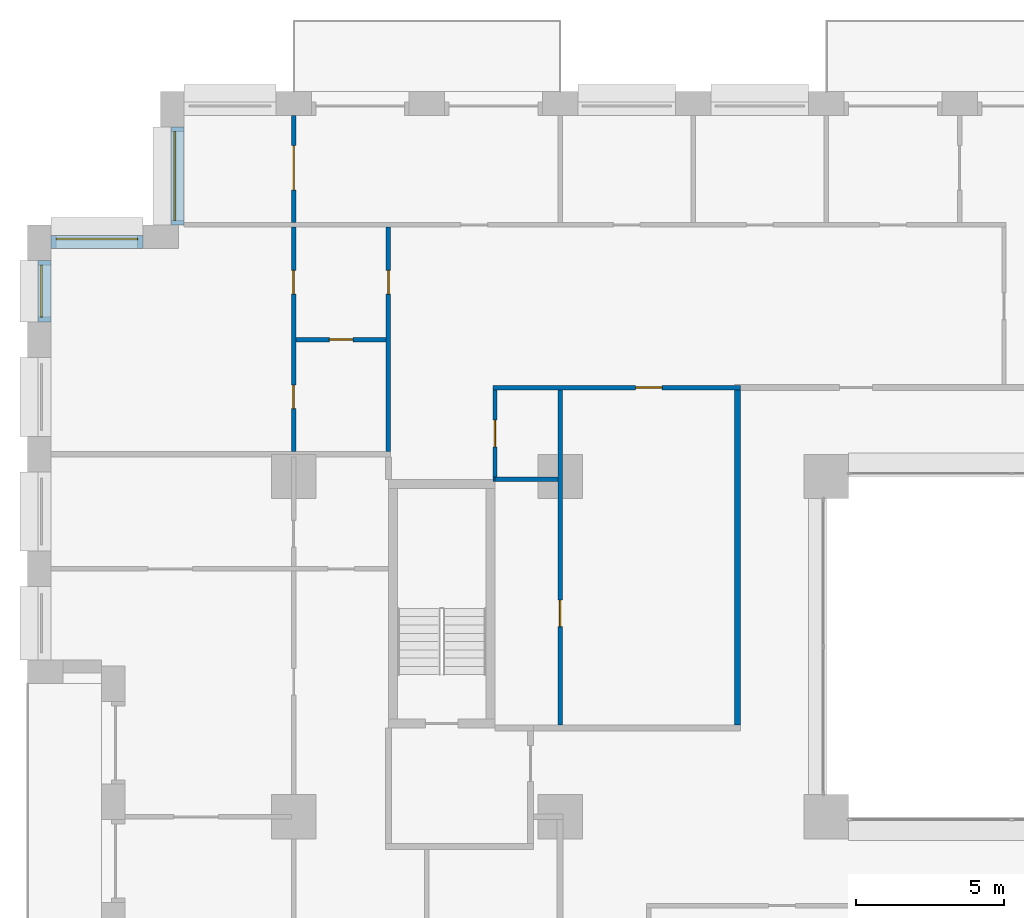
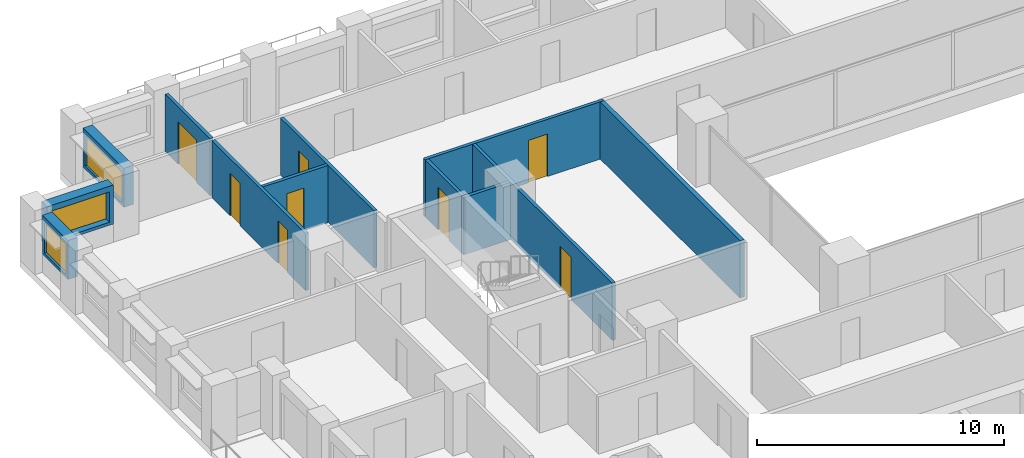
# One storey, part 14 of 21: 13 walls, 8 doors, 3 windows, 11 openings.
"""IFC4 building model written with IfcOpenShell, lengths in metres."""

from ifc_helpers import new_model, si_unit, direction, frame, frame_2d, origin, place, context, subcontext, project, spatial, rectangle, extrude, material, layer, layer_set, type_object, element, fill, save


model = new_model("IFC4")

# Units and contexts
model_context = context("Model", 3, precision=1e-05, world=origin(), true_north=direction((0.0, 1.0)))
body_context = subcontext(model_context, "Body", "Model", "MODEL_VIEW")
ifc_project = project(units=[si_unit("LENGTHUNIT", "METRE"), si_unit("AREAUNIT", "SQUARE_METRE"), si_unit("VOLUMEUNIT", "CUBIC_METRE"), si_unit("PLANEANGLEUNIT", "RADIAN"), si_unit("MASSUNIT", "GRAM", prefix="KILO")], contexts=[model_context])

# Site, building, storey
site_placement = place(None, origin())
site = spatial("IfcSite", under=ifc_project, at=site_placement, CompositionType="ELEMENT")
building_placement = place(site_placement, origin())
building = spatial("IfcBuilding", under=site, at=building_placement, Name="Brigalow Station Residences", CompositionType="ELEMENT")
storey_placement = place(building_placement, frame((0.0, 0.0, 51.0)))
storey = spatial("IfcBuildingStorey", under=building, at=storey_placement, Name="L14", CompositionType="ELEMENT", Elevation=51.0)

# Wall, opening, window
ifc_material_1 = material(Name="Clay brick masonry", Category="masonry")
ifc_layer_1 = layer(ifc_material_1, 0.449951171875)
ifc_layer_set_1 = layer_set([ifc_layer_1], Name="BRICK INFILL WALL 450")
wall_type_1 = type_object("IfcWallType", Name="BRICK INFILL WALL 450", PredefinedType="SOLIDWALL", material=ifc_layer_set_1)
wall_1_placement = place(storey_placement, frame((5.074951171875, 47.300048828125, 0.89990234375), z_axis=(0.0, 0.0, 1.0), x_axis=(0.0, -1.0, 0.0)))
wall_1 = element("IfcWall", 1, at=wall_1_placement, inside=storey, type_object=wall_type_1, Name="L14/ewall/W-L14-40", PredefinedType="SOLIDWALL", context=body_context, shape_type="SweptSolid", body=[
    extrude(rectangle(XDim=3.300048828125, YDim=0.449951171875, at=frame_2d((1.64990234375, 0.0))), origin(), (0.0, 0.0, 1.0), 1.93017578125),
])
opening_1_placement = place(wall_1_placement, frame((0.14990234375, 0.0, 0.14990234375)))
opening_1 = element("IfcOpeningElement", 2, at=opening_1_placement, cuts=wall_1, Name="Opening WT-2", PredefinedType="OPENING", context=body_context, shape_type="SweptSolid", body=[
    extrude(rectangle(XDim=3.0, YDim=1.5, at=frame_2d((1.5, 0.75))), frame((0.0, 0.23486328125, 0.0), z_axis=(0.0, -1.0, 0.0), x_axis=(1.0, 0.0, 0.0)), (0.0, 0.0, 1.0), 0.469970703125),
])
ifc_material_2 = material(Name="Anodised aluminium frame with double glazing", Category="aluminium")
window_type_1 = type_object("IfcWindowType", Name="WINDOW 3000x1500", PartitioningType="SINGLE_PANEL", PredefinedType="WINDOW", material=ifc_material_2)
window_1_placement = place(opening_1_placement, origin())
window_1 = element("IfcWindow", 3, at=window_1_placement, inside=storey, type_object=window_type_1, Name="L14/window/W-L14-40", OverallHeight=1.5, OverallWidth=3.0, PartitioningType="SINGLE_PANEL", PredefinedType="WINDOW", context=body_context, shape_type="SweptSolid", body=[
    extrude(rectangle(XDim=3.0, YDim=1.5, at=frame_2d((1.5, 0.75))), frame((0.0, -0.06494140625, 0.0), z_axis=(0.0, -1.0, 0.0), x_axis=(1.0, 0.0, 0.0)), (0.0, 0.0, 1.0), 0.06005859375),
])
fill(opening_1, window_1)

wall_2_placement = place(storey_placement, frame((3.89990234375, 43.425048828125, 0.89990234375), z_axis=(0.0, 0.0, 1.0), x_axis=(-1.0, 0.0, 0.0)))
wall_2 = element("IfcWall", 4, at=wall_2_placement, inside=storey, type_object=wall_type_1, Name="L14/ewall/W-L14-41", PredefinedType="SOLIDWALL", context=body_context, shape_type="SweptSolid", body=[
    extrude(rectangle(XDim=3.099853515625, YDim=0.449951171875, at=frame_2d((1.5498046875, 0.0))), origin(), (0.0, 0.0, 1.0), 1.93017578125),
])
opening_2_placement = place(wall_2_placement, frame((0.175048828125, 0.0, 0.14990234375)))
opening_2 = element("IfcOpeningElement", 5, at=opening_2_placement, cuts=wall_2, Name="Opening WT-3", PredefinedType="OPENING", context=body_context, shape_type="SweptSolid", body=[
    extrude(rectangle(XDim=2.75, YDim=1.5, at=frame_2d((1.375, 0.75))), frame((0.0, 0.23486328125, 0.0), z_axis=(0.0, -1.0, 0.0), x_axis=(1.0, 0.0, 0.0)), (0.0, 0.0, 1.0), 0.469970703125),
])
ifc_material_3 = material(Name="Anodised aluminium frame with double glazing", Category="aluminium")
window_type_2 = type_object("IfcWindowType", Name="WINDOW 2750x1500", PartitioningType="SINGLE_PANEL", PredefinedType="WINDOW", material=ifc_material_3)
window_2_placement = place(opening_2_placement, origin())
window_2 = element("IfcWindow", 6, at=window_2_placement, inside=storey, type_object=window_type_2, Name="L14/window/W-L14-41", OverallHeight=1.5, OverallWidth=2.75, PartitioningType="SINGLE_PANEL", PredefinedType="WINDOW", context=body_context, shape_type="SweptSolid", body=[
    extrude(rectangle(XDim=2.75, YDim=1.5, at=frame_2d((1.375, 0.75))), frame((0.0, -0.06494140625, 0.0), z_axis=(0.0, -1.0, 0.0), x_axis=(1.0, 0.0, 0.0)), (0.0, 0.0, 1.0), 0.06005859375),
])
fill(opening_2, window_2)

wall_3_placement = place(storey_placement, frame((0.574951171875, 42.800048828125, 0.89990234375), z_axis=(0.0, 0.0, 1.0), x_axis=(0.0, -1.0, 0.0)))
wall_3 = element("IfcWall", 7, at=wall_3_placement, inside=storey, type_object=wall_type_1, Name="L14/ewall/W-L14-42", PredefinedType="SOLIDWALL", context=body_context, shape_type="SweptSolid", body=[
    extrude(rectangle(XDim=2.074951171875, YDim=0.449951171875, at=frame_2d((1.03759765625, 0.0))), origin(), (0.0, 0.0, 1.0), 1.93017578125),
])
opening_3_placement = place(wall_3_placement, frame((0.16259765625, 0.0, 0.14990234375)))
opening_3 = element("IfcOpeningElement", 8, at=opening_3_placement, cuts=wall_3, Name="Opening WT-4", PredefinedType="OPENING", context=body_context, shape_type="SweptSolid", body=[
    extrude(rectangle(XDim=1.75, YDim=1.5, at=frame_2d((0.875, 0.75))), frame((0.0, 0.23486328125, 0.0), z_axis=(0.0, -1.0, 0.0), x_axis=(1.0, 0.0, 0.0)), (0.0, 0.0, 1.0), 0.469970703125),
])
ifc_material_4 = material(Name="Anodised aluminium frame with double glazing", Category="aluminium")
window_type_3 = type_object("IfcWindowType", Name="WINDOW 1750x1500", PartitioningType="SINGLE_PANEL", PredefinedType="WINDOW", material=ifc_material_4)
window_3_placement = place(opening_3_placement, origin())
window_3 = element("IfcWindow", 9, at=window_3_placement, inside=storey, type_object=window_type_3, Name="L14/window/W-L14-42", OverallHeight=1.5, OverallWidth=1.75, PartitioningType="SINGLE_PANEL", PredefinedType="WINDOW", context=body_context, shape_type="SweptSolid", body=[
    extrude(rectangle(XDim=1.75, YDim=1.5, at=frame_2d((0.875, 0.75))), frame((0.0, -0.06494140625, 0.0), z_axis=(0.0, -1.0, 0.0), x_axis=(1.0, 0.0, 0.0)), (0.0, 0.0, 1.0), 0.06005859375),
])
fill(opening_3, window_3)

# Wall, opening, door
ifc_material_5 = material(Name="Plasterboard on steel stud partition", Category="steel")
ifc_layer_2 = layer(ifc_material_5, 0.14990234375)
ifc_layer_set_2 = layer_set([ifc_layer_2], Name="FLAT PARTITION 150")
wall_type_2 = type_object("IfcWallType", Name="FLAT PARTITION 150", PredefinedType="PARTITIONING", material=ifc_layer_set_2)
wall_4_placement = place(storey_placement, frame((15.72509765625, 38.5, 0.0), z_axis=(0.0, 0.0, 1.0), x_axis=(1.0, 0.0, 0.0)))
wall_4 = element("IfcWall", 10, at=wall_4_placement, inside=storey, type_object=wall_type_2, Name="PW-1D08", PredefinedType="PARTITIONING", context=body_context, shape_type="SweptSolid", body=[
    extrude(rectangle(XDim=8.375, YDim=0.14990234375, at=frame_2d((4.1875, 0.0))), origin(), (0.0, 0.0, 1.0), 2.830078125),
])
opening_4_placement = place(wall_4_placement, frame((4.824951171875, 0.0, 0.0)))
opening_4 = element("IfcOpeningElement", 11, at=opening_4_placement, cuts=wall_4, Name="Opening D-1D29", PredefinedType="OPENING", context=body_context, shape_type="SweptSolid", body=[
    extrude(rectangle(XDim=0.89990234375, YDim=2.10009765625, at=frame_2d((0.449951171875, 1.050048828125))), frame((0.0, 0.0849609375, 0.0), z_axis=(0.0, -1.0, 0.0), x_axis=(1.0, 0.0, 0.0)), (0.0, 0.0, 1.0), 0.169921875),
])
ifc_material_6 = material(Name="Solid-core timber door leaf", Category="wood")
door_type_1 = type_object("IfcDoorType", Name="INTERNAL DOOR 900 x 2100", OperationType="SINGLE_SWING_LEFT", PredefinedType="DOOR", material=ifc_material_6)
door_1_placement = place(opening_4_placement, frame((0.89990234375, 0.0, 0.0), z_axis=(0.0, 0.0, 1.0), x_axis=(-1.0, 0.0, 0.0)))
door_1 = element("IfcDoor", 12, at=door_1_placement, inside=storey, type_object=door_type_1, Name="D-1D29", OperationType="SINGLE_SWING_LEFT", OverallHeight=2.10009765625, OverallWidth=0.89990234375, PredefinedType="DOOR", context=body_context, shape_type="SweptSolid", body=[
    extrude(rectangle(XDim=0.89990234375, YDim=2.10009765625, at=frame_2d((0.449951171875, 1.050048828125))), frame((0.0, 0.02490234375, 0.0), z_axis=(0.0, -1.0, 0.0), x_axis=(1.0, 0.0, 0.0)), (0.0, 0.0, 1.0), 0.050048828125),
])
fill(opening_4, door_1)

# Walls
wall_5_placement = place(storey_placement, frame((15.72509765625, 35.39990234375, 0.0), z_axis=(0.0, 0.0, 1.0), x_axis=(1.0, 0.0, 0.0)))
element("IfcWall", 13, at=wall_5_placement, inside=storey, type_object=wall_type_2, Name="PW-1D23", PredefinedType="PARTITIONING", context=body_context, shape_type="SweptSolid", body=[
    extrude(rectangle(XDim=0.074951171875, YDim=0.14990234375, at=frame_2d((0.03759765625, 0.0))), origin(), (0.0, 0.0, 1.0), 2.830078125),
])
wall_6_placement = place(storey_placement, frame((15.800048828125, 35.39990234375, 0.0), z_axis=(0.0, 0.0, 1.0), x_axis=(1.0, 0.0, 0.0)))
element("IfcWall", 14, at=wall_6_placement, inside=storey, type_object=wall_type_2, Name="PW-1D24", PredefinedType="PARTITIONING", context=body_context, shape_type="SweptSolid", body=[
    extrude(rectangle(XDim=2.125, YDim=0.14990234375, at=frame_2d((1.0625, 0.0))), origin(), (0.0, 0.0, 1.0), 2.830078125),
])

# Wall, opening, door
wall_7_placement = place(storey_placement, frame((9.074951171875, 40.125, 0.0), z_axis=(0.0, 0.0, 1.0), x_axis=(1.0, 0.0, 0.0)))
wall_7 = element("IfcWall", 15, at=wall_7_placement, inside=storey, type_object=wall_type_2, Name="PW-1D28", PredefinedType="PARTITIONING", context=body_context, shape_type="SweptSolid", body=[
    extrude(rectangle(XDim=3.050048828125, YDim=0.14990234375, at=frame_2d((1.52490234375, 0.0))), origin(), (0.0, 0.0, 1.0), 2.830078125),
])
opening_5_placement = place(wall_7_placement, frame((1.125, 0.0, 0.0)))
opening_5 = element("IfcOpeningElement", 16, at=opening_5_placement, cuts=wall_7, Name="Opening D-1D22", PredefinedType="OPENING", context=body_context, shape_type="SweptSolid", body=[
    extrude(rectangle(XDim=0.800048828125, YDim=2.10009765625, at=frame_2d((0.39990234375, 1.050048828125))), frame((0.0, 0.0849609375, 0.0), z_axis=(0.0, -1.0, 0.0), x_axis=(1.0, 0.0, 0.0)), (0.0, 0.0, 1.0), 0.169921875),
])
ifc_material_7 = material(Name="Solid-core timber door leaf", Category="wood")
door_type_2 = type_object("IfcDoorType", Name="INTERNAL DOOR 800 x 2100", OperationType="SINGLE_SWING_LEFT", PredefinedType="DOOR", material=ifc_material_7)
door_2_placement = place(opening_5_placement, frame((0.800048828125, 0.0, 0.0), z_axis=(0.0, 0.0, 1.0), x_axis=(-1.0, 0.0, 0.0)))
door_2 = element("IfcDoor", 17, at=door_2_placement, inside=storey, type_object=door_type_2, Name="D-1D22", OperationType="SINGLE_SWING_LEFT", OverallHeight=2.10009765625, OverallWidth=0.800048828125, PredefinedType="DOOR", context=body_context, shape_type="SweptSolid", body=[
    extrude(rectangle(XDim=0.800048828125, YDim=2.10009765625, at=frame_2d((0.39990234375, 1.050048828125))), frame((0.0, 0.02490234375, 0.0), z_axis=(0.0, -1.0, 0.0), x_axis=(1.0, 0.0, 0.0)), (0.0, 0.0, 1.0), 0.050048828125),
])
fill(opening_5, door_2)

wall_8_placement = place(storey_placement, frame((18.0, 27.10009765625, 0.0), z_axis=(0.0, 0.0, 1.0), x_axis=(0.0, 1.0, 0.0)))
wall_8 = element("IfcWall", 18, at=wall_8_placement, inside=storey, type_object=wall_type_2, Name="PW-1D36", PredefinedType="PARTITIONING", context=body_context, shape_type="SweptSolid", body=[
    extrude(rectangle(XDim=11.324951171875, YDim=0.14990234375, at=frame_2d((5.66259765625, 0.0))), origin(), (0.0, 0.0, 1.0), 2.830078125),
])
opening_6_placement = place(wall_8_placement, frame((3.324951171875, 0.0, 0.0)))
opening_6 = element("IfcOpeningElement", 19, at=opening_6_placement, cuts=wall_8, Name="Opening D-1D32", PredefinedType="OPENING", context=body_context, shape_type="SweptSolid", body=[
    extrude(rectangle(XDim=0.89990234375, YDim=2.10009765625, at=frame_2d((0.449951171875, 1.050048828125))), frame((0.0, 0.0849609375, 0.0), z_axis=(0.0, -1.0, 0.0), x_axis=(1.0, 0.0, 0.0)), (0.0, 0.0, 1.0), 0.169921875),
])
door_3_placement = place(opening_6_placement, origin())
door_3 = element("IfcDoor", 20, at=door_3_placement, inside=storey, type_object=door_type_1, Name="D-1D32", OperationType="SINGLE_SWING_LEFT", OverallHeight=2.10009765625, OverallWidth=0.89990234375, PredefinedType="DOOR", context=body_context, shape_type="SweptSolid", body=[
    extrude(rectangle(XDim=0.89990234375, YDim=2.10009765625, at=frame_2d((0.449951171875, 1.050048828125))), frame((0.0, 0.02490234375, 0.0), z_axis=(0.0, -1.0, 0.0), x_axis=(1.0, 0.0, 0.0)), (0.0, 0.0, 1.0), 0.050048828125),
])
fill(opening_6, door_3)

# Wall, openings, doors
wall_9_placement = place(storey_placement, frame((9.0, 36.35009765625, 0.0), z_axis=(0.0, 0.0, 1.0), x_axis=(0.0, 1.0, 0.0)))
wall_9 = element("IfcWall", 21, at=wall_9_placement, inside=storey, type_object=wall_type_2, Name="PW-1D50", PredefinedType="PARTITIONING", context=body_context, shape_type="SweptSolid", body=[
    extrude(rectangle(XDim=7.574951171875, YDim=0.14990234375, at=frame_2d((3.78759765625, 0.0))), origin(), (0.0, 0.0, 1.0), 2.830078125),
])
opening_7_placement = place(wall_9_placement, frame((5.31201171875, 0.0, 0.0)))
opening_7 = element("IfcOpeningElement", 22, at=opening_7_placement, cuts=wall_9, Name="Opening D-1D24", PredefinedType="OPENING", context=body_context, shape_type="SweptSolid", body=[
    extrude(rectangle(XDim=0.800048828125, YDim=2.10009765625, at=frame_2d((0.39990234375, 1.050048828125))), frame((0.0, 0.0849609375, 0.0), z_axis=(0.0, -1.0, 0.0), x_axis=(1.0, 0.0, 0.0)), (0.0, 0.0, 1.0), 0.169921875),
])
opening_8_placement = place(wall_9_placement, frame((1.43798828125, 0.0, 0.0)))
opening_8 = element("IfcOpeningElement", 23, at=opening_8_placement, cuts=wall_9, Name="Opening D-1D25", PredefinedType="OPENING", context=body_context, shape_type="SweptSolid", body=[
    extrude(rectangle(XDim=0.800048828125, YDim=2.10009765625, at=frame_2d((0.39990234375, 1.050048828125))), frame((0.0, 0.0849609375, 0.0), z_axis=(0.0, -1.0, 0.0), x_axis=(1.0, 0.0, 0.0)), (0.0, 0.0, 1.0), 0.169921875),
])
door_4_placement = place(opening_7_placement, frame((0.800048828125, 0.0, 0.0), z_axis=(0.0, 0.0, 1.0), x_axis=(-1.0, 0.0, 0.0)))
door_4 = element("IfcDoor", 24, at=door_4_placement, inside=storey, type_object=door_type_2, Name="D-1D24", OperationType="SINGLE_SWING_RIGHT", OverallHeight=2.10009765625, OverallWidth=0.800048828125, PredefinedType="DOOR", context=body_context, shape_type="SweptSolid", body=[
    extrude(rectangle(XDim=0.800048828125, YDim=2.10009765625, at=frame_2d((0.39990234375, 1.050048828125))), frame((0.0, 0.02490234375, 0.0), z_axis=(0.0, -1.0, 0.0), x_axis=(1.0, 0.0, 0.0)), (0.0, 0.0, 1.0), 0.050048828125),
])
fill(opening_7, door_4)
door_5_placement = place(opening_8_placement, frame((0.800048828125, 0.0, 0.0), z_axis=(0.0, 0.0, 1.0), x_axis=(-1.0, 0.0, 0.0)))
door_5 = element("IfcDoor", 25, at=door_5_placement, inside=storey, type_object=door_type_2, Name="D-1D25", OperationType="SINGLE_SWING_RIGHT", OverallHeight=2.10009765625, OverallWidth=0.800048828125, PredefinedType="DOOR", context=body_context, shape_type="SweptSolid", body=[
    extrude(rectangle(XDim=0.800048828125, YDim=2.10009765625, at=frame_2d((0.39990234375, 1.050048828125))), frame((0.0, 0.02490234375, 0.0), z_axis=(0.0, -1.0, 0.0), x_axis=(1.0, 0.0, 0.0)), (0.0, 0.0, 1.0), 0.050048828125),
])
fill(opening_8, door_5)

# Wall, opening, door
wall_10_placement = place(storey_placement, frame((9.0, 44.074951171875, 0.0), z_axis=(0.0, 0.0, 1.0), x_axis=(0.0, 1.0, 0.0)))
wall_10 = element("IfcWall", 26, at=wall_10_placement, inside=storey, type_object=wall_type_2, Name="PW-1D51", PredefinedType="PARTITIONING", context=body_context, shape_type="SweptSolid", body=[
    extrude(rectangle(XDim=3.625, YDim=0.14990234375, at=frame_2d((1.8125, 0.0))), origin(), (0.0, 0.0, 1.0), 2.830078125),
])
opening_9_placement = place(wall_10_placement, frame((1.10009765625, 0.0, 0.0)))
opening_9 = element("IfcOpeningElement", 27, at=opening_9_placement, cuts=wall_10, Name="Opening D-1D21", PredefinedType="OPENING", context=body_context, shape_type="SweptSolid", body=[
    extrude(rectangle(XDim=1.5, YDim=2.10009765625, at=frame_2d((0.75, 1.050048828125))), frame((0.0, 0.0849609375, 0.0), z_axis=(0.0, -1.0, 0.0), x_axis=(1.0, 0.0, 0.0)), (0.0, 0.0, 1.0), 0.169921875),
])
ifc_material_8 = material(Name="Solid-core timber door leaf", Category="wood")
door_type_3 = type_object("IfcDoorType", Name="INTERNAL DOUBLE DOOR 1500 x 2100", OperationType="DOUBLE_DOOR_SINGLE_SWING", PredefinedType="DOOR", material=ifc_material_8)
door_6_placement = place(opening_9_placement, origin())
door_6 = element("IfcDoor", 28, at=door_6_placement, inside=storey, type_object=door_type_3, Name="D-1D21", OperationType="DOUBLE_DOOR_SINGLE_SWING", OverallHeight=2.10009765625, OverallWidth=1.5, PredefinedType="DOOR", context=body_context, shape_type="SweptSolid", body=[
    extrude(rectangle(XDim=1.5, YDim=2.10009765625, at=frame_2d((0.75, 1.050048828125))), frame((0.0, 0.02490234375, 0.0), z_axis=(0.0, -1.0, 0.0), x_axis=(1.0, 0.0, 0.0)), (0.0, 0.0, 1.0), 0.050048828125),
])
fill(opening_9, door_6)

wall_11_placement = place(storey_placement, frame((12.199951171875, 36.35009765625, 0.0), z_axis=(0.0, 0.0, 1.0), x_axis=(0.0, 1.0, 0.0)))
wall_11 = element("IfcWall", 29, at=wall_11_placement, inside=storey, type_object=wall_type_2, Name="PW-1D56", PredefinedType="PARTITIONING", context=body_context, shape_type="SweptSolid", body=[
    extrude(rectangle(XDim=7.574951171875, YDim=0.14990234375, at=frame_2d((3.78759765625, 0.0))), origin(), (0.0, 0.0, 1.0), 2.830078125),
])
opening_10_placement = place(wall_11_placement, frame((5.31201171875, 0.0, 0.0)))
opening_10 = element("IfcOpeningElement", 30, at=opening_10_placement, cuts=wall_11, Name="Opening D-1D23", PredefinedType="OPENING", context=body_context, shape_type="SweptSolid", body=[
    extrude(rectangle(XDim=0.800048828125, YDim=2.10009765625, at=frame_2d((0.39990234375, 1.050048828125))), frame((0.0, 0.0849609375, 0.0), z_axis=(0.0, -1.0, 0.0), x_axis=(1.0, 0.0, 0.0)), (0.0, 0.0, 1.0), 0.169921875),
])
door_7_placement = place(opening_10_placement, origin())
door_7 = element("IfcDoor", 31, at=door_7_placement, inside=storey, type_object=door_type_2, Name="D-1D23", OperationType="SINGLE_SWING_LEFT", OverallHeight=2.10009765625, OverallWidth=0.800048828125, PredefinedType="DOOR", context=body_context, shape_type="SweptSolid", body=[
    extrude(rectangle(XDim=0.800048828125, YDim=2.10009765625, at=frame_2d((0.39990234375, 1.050048828125))), frame((0.0, 0.02490234375, 0.0), z_axis=(0.0, -1.0, 0.0), x_axis=(1.0, 0.0, 0.0)), (0.0, 0.0, 1.0), 0.050048828125),
])
fill(opening_10, door_7)

wall_12_placement = place(storey_placement, frame((15.800048828125, 35.47509765625, 0.0), z_axis=(0.0, 0.0, 1.0), x_axis=(0.0, 1.0, 0.0)))
wall_12 = element("IfcWall", 32, at=wall_12_placement, inside=storey, type_object=wall_type_2, Name="PW-1D59", PredefinedType="PARTITIONING", context=body_context, shape_type="SweptSolid", body=[
    extrude(rectangle(XDim=2.949951171875, YDim=0.14990234375, at=frame_2d((1.47509765625, 0.0))), origin(), (0.0, 0.0, 1.0), 2.830078125),
])
opening_11_placement = place(wall_12_placement, frame((1.02490234375, 0.0, 0.0)))
opening_11 = element("IfcOpeningElement", 33, at=opening_11_placement, cuts=wall_12, Name="Opening D-1D31", PredefinedType="OPENING", context=body_context, shape_type="SweptSolid", body=[
    extrude(rectangle(XDim=0.89990234375, YDim=2.10009765625, at=frame_2d((0.449951171875, 1.050048828125))), frame((0.0, 0.0849609375, 0.0), z_axis=(0.0, -1.0, 0.0), x_axis=(1.0, 0.0, 0.0)), (0.0, 0.0, 1.0), 0.169921875),
])
door_8_placement = place(opening_11_placement, frame((0.89990234375, 0.0, 0.0), z_axis=(0.0, 0.0, 1.0), x_axis=(-1.0, 0.0, 0.0)))
door_8 = element("IfcDoor", 34, at=door_8_placement, inside=storey, type_object=door_type_1, Name="D-1D31", OperationType="SINGLE_SWING_RIGHT", OverallHeight=2.10009765625, OverallWidth=0.89990234375, PredefinedType="DOOR", context=body_context, shape_type="SweptSolid", body=[
    extrude(rectangle(XDim=0.89990234375, YDim=2.10009765625, at=frame_2d((0.449951171875, 1.050048828125))), frame((0.0, 0.02490234375, 0.0), z_axis=(0.0, -1.0, 0.0), x_axis=(1.0, 0.0, 0.0)), (0.0, 0.0, 1.0), 0.050048828125),
])
fill(opening_11, door_8)

# Wall
ifc_material_9 = material(Name="Plasterboard on steel stud partition", Category="steel")
ifc_layer_3 = layer(ifc_material_9, 0.199951171875)
ifc_layer_set_3 = layer_set([ifc_layer_3], Name="PARTY AND CORRIDOR WALL 200")
wall_type_3 = type_object("IfcWallType", Name="PARTY AND CORRIDOR WALL 200", PredefinedType="PARTITIONING", material=ifc_layer_set_3)
wall_13_placement = place(storey_placement, frame((24.0, 27.10009765625, 0.0), z_axis=(0.0, 0.0, 1.0), x_axis=(0.0, 1.0, 0.0)))
element("IfcWall", 35, at=wall_13_placement, inside=storey, type_object=wall_type_3, Name="PW-1D44", PredefinedType="PARTITIONING", context=body_context, shape_type="SweptSolid", body=[
    extrude(rectangle(XDim=11.324951171875, YDim=0.199951171875, at=frame_2d((5.66259765625, 0.0))), origin(), (0.0, 0.0, 1.0), 2.830078125),
])

save(model, "model.ifc")
